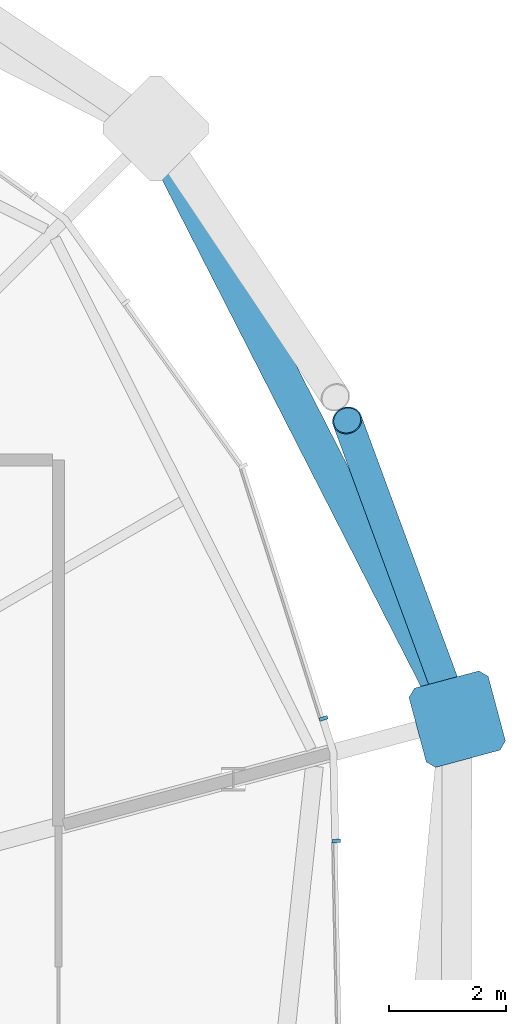
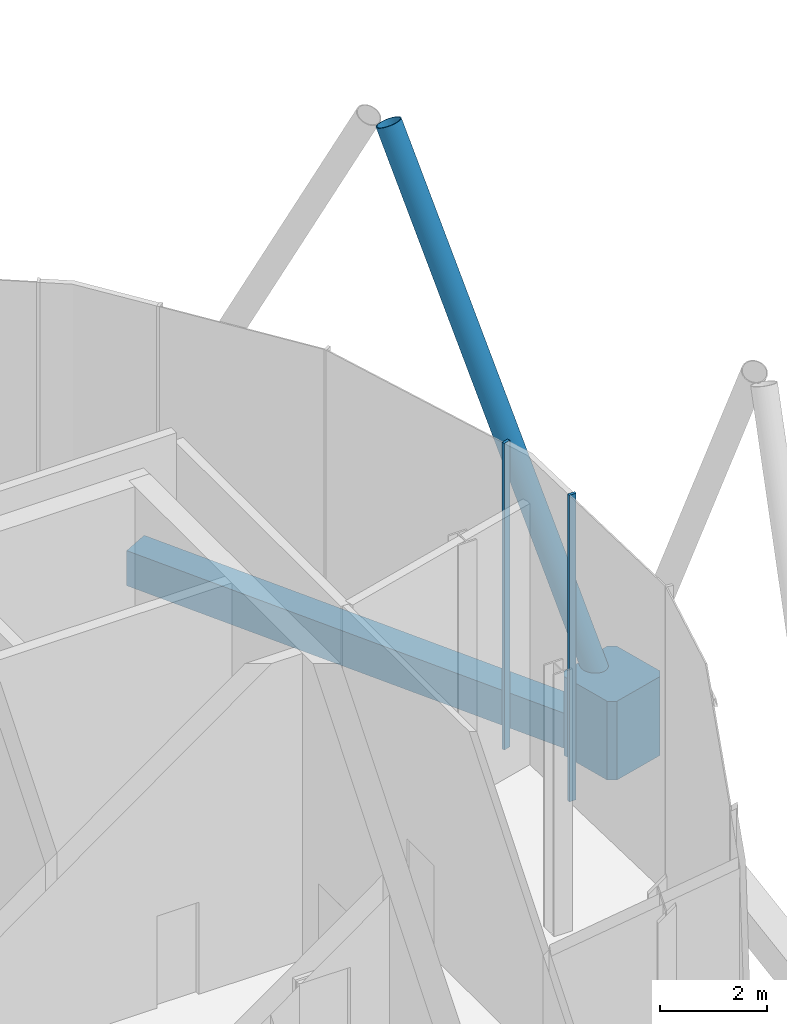
# One storey, part 13 of 28: 4 members, 1 beam, 1 element without a shape of its own.
"""IFC4 building model written with IfcOpenShell, lengths in metres."""

import ifcopenshell
import ifcopenshell.guid

model = None  # the IFC model being written
_history = None  # IfcOwnerHistory: only IFC2X3 demands one
_inside = {}  # id of a spatial element -> (the spatial element, [elements in it])
_under = {}  # id of a project, library or spatial element -> (it, [spatial elements below it])
_declared = {}  # id of a project -> (the project, [libraries it declares])
_typed = {}  # id of a type object -> (the type object, [elements of that type])
_made_of = {}  # id of a material, layer set ... -> (it, [elements and type objects made of it])


def new_model(schema):
    """Start an empty IFC model of exactly this schema.

    Asked for "IFC4X3", IfcOpenShell would pick the latest addendum, in which some entities
    have other attributes; the version numbers below select the first issue.
    IFC2X3 requires an IfcOwnerHistory on every rooted entity: one is made here for all.
    """
    global model, _history
    if schema == "IFC4X3":
        model = ifcopenshell.file(schema_version=(4, 3, 0, 0))
    else:
        model = ifcopenshell.file(schema=schema)
    _inside.clear()
    _under.clear()
    _declared.clear()
    _typed.clear()
    _made_of.clear()
    _history = None
    if model.schema == "IFC2X3":
        org = make("IfcOrganization", Name="unknown")
        user = make(
            "IfcPersonAndOrganization",
            ThePerson=make("IfcPerson", FamilyName="unknown"),
            TheOrganization=org,
        )
        app = make(
            "IfcApplication",
            ApplicationDeveloper=org,
            Version="unknown",
            ApplicationFullName="unknown",
            ApplicationIdentifier="unknown",
        )
        _history = make(
            "IfcOwnerHistory",
            OwningUser=user,
            OwningApplication=app,
            ChangeAction="ADDED",
            CreationDate=0,
        )
    return model


def make(cls, **values):
    """One entity of the class cls with the attributes given. An attribute that is None is left unset."""
    return model.create_entity(
        cls, **{name: value for name, value in values.items() if value is not None}
    )


def rooted(cls, **values):
    """An entity with a GlobalId (a new one), such as an element, a storey or a relation."""
    return make(cls, GlobalId=ifcopenshell.guid.new(), OwnerHistory=_history, **values)


def si_unit(unit_type, name, prefix=None):
    """IfcSIUnit, for example si_unit("LENGTHUNIT", "METRE", prefix="MILLI")."""
    return make("IfcSIUnit", UnitType=unit_type, Prefix=prefix, Name=name)


def assignment(units):
    """IfcUnitAssignment: the units of a project."""
    return None if units is None else make("IfcUnitAssignment", Units=units)


def point(xyz):
    """IfcCartesianPoint."""
    return None if xyz is None else make("IfcCartesianPoint", Coordinates=xyz)


def direction(xyz):
    """IfcDirection."""
    return None if xyz is None else make("IfcDirection", DirectionRatios=xyz)


def frame(location, z_axis=None, x_axis=None):
    """IfcAxis2Placement3D, a coordinate frame: its origin and axes. An axis left out is left unset."""
    return make(
        "IfcAxis2Placement3D",
        Location=point(location),
        Axis=direction(z_axis),
        RefDirection=direction(x_axis),
    )


def frame_2d(location, x_axis=None):
    """IfcAxis2Placement2D, a coordinate frame in the plane: its origin and x axis."""
    return make(
        "IfcAxis2Placement2D", Location=point(location), RefDirection=direction(x_axis)
    )


def origin():
    """The frame at (0, 0, 0) with its axes left unset."""
    return frame((0.0, 0.0, 0.0))


def origin_2d():
    """The frame at (0, 0) in the plane with its x axis left unset."""
    return frame_2d((0.0, 0.0))


def place(relative_to, where):
    """IfcLocalPlacement: puts the frame where relative to a parent placement (None: the world)."""
    return make(
        "IfcLocalPlacement", PlacementRelTo=relative_to, RelativePlacement=where
    )


def context(
    kind, dimensions, precision=None, world=None, true_north=None, identifier=None
):
    """IfcGeometricRepresentationContext, for example the 3D "Model" context."""
    return make(
        "IfcGeometricRepresentationContext",
        ContextIdentifier=identifier,
        ContextType=kind,
        CoordinateSpaceDimension=dimensions,
        Precision=precision,
        WorldCoordinateSystem=world,
        TrueNorth=true_north,
    )


def subcontext(parent, identifier, kind, view, scale=None):
    """IfcGeometricRepresentationSubContext, for example "Body" below "Model"."""
    return make(
        "IfcGeometricRepresentationSubContext",
        ContextIdentifier=identifier,
        ContextType=kind,
        ParentContext=parent,
        TargetScale=scale,
        TargetView=view,
    )


def project(units=None, contexts=None):
    """IfcProject with its units and contexts."""
    return rooted(
        "IfcProject",
        Name="project",
        RepresentationContexts=contexts,
        UnitsInContext=assignment(units),
    )


def spatial(cls, under=None, at=None, **own):
    """A site, building, storey or space (cls), placed at a placement, below another one or the project."""
    s = rooted(cls, ObjectPlacement=at, **own)
    if under is not None:
        _under.setdefault(under.id(), (under, []))[1].append(s)
    return s


def polyline(points):
    """IfcPolyline through the points."""
    return make("IfcPolyline", Points=[point(p) for p in points])


def profile(cls, at=None, kind="AREA", **sizes):
    """A parametric profile (cls). Its sizes go by their IFC names, for example OverallWidth=200.0."""
    return make(cls, ProfileType=kind, Position=at, **sizes)


def rectangle(**sizes):
    """IfcRectangleProfileDef."""
    return profile("IfcRectangleProfileDef", **sizes)


def hollow_rectangle(**sizes):
    """IfcRectangleHollowProfileDef."""
    return profile("IfcRectangleHollowProfileDef", **sizes)


def hollow_circle(**sizes):
    """IfcCircleHollowProfileDef."""
    return profile("IfcCircleHollowProfileDef", **sizes)


def outline(outer, holes=None, kind="AREA"):
    """IfcArbitraryClosedProfileDef: a profile drawn as a closed curve; with holes, ...WithVoids."""
    if holes is None:
        return make("IfcArbitraryClosedProfileDef", ProfileType=kind, OuterCurve=outer)
    return make(
        "IfcArbitraryProfileDefWithVoids",
        ProfileType=kind,
        OuterCurve=outer,
        InnerCurves=holes,
    )


def extrude(swept, where, along, depth):
    """IfcExtrudedAreaSolid: the profile swept, set in the frame where, extruded along a direction by depth."""
    return make(
        "IfcExtrudedAreaSolid",
        SweptArea=swept,
        Position=where,
        ExtrudedDirection=direction(along),
        Depth=depth,
    )


def shape(context_of_items, identifier, shape_type, items):
    """IfcShapeRepresentation: the items that make up one representation, for example the "Body"."""
    return make(
        "IfcShapeRepresentation",
        ContextOfItems=context_of_items,
        RepresentationIdentifier=identifier,
        RepresentationType=shape_type,
        Items=items,
    )


def material(Name=None, Category=None):
    """IfcMaterial."""
    return make("IfcMaterial", Name=Name, Category=Category)


def material_profile(
    of_material, cross_section, Name=None, Category=None, Priority=None
):
    """IfcMaterialProfile: a cross section and its material."""
    return make(
        "IfcMaterialProfile",
        Name=Name,
        Material=of_material,
        Profile=cross_section,
        Priority=Priority,
        Category=Category,
    )


def profile_set(profiles, Name=None, composite=None):
    """IfcMaterialProfileSet."""
    return make(
        "IfcMaterialProfileSet",
        Name=Name,
        MaterialProfiles=profiles,
        CompositeProfile=composite,
    )


def made_of(thing, what):
    """Note that an element or type object is made of a material, layer set ...; save() writes the relation."""
    if what is not None:
        _made_of.setdefault(what.id(), (what, []))[1].append(thing)
    return thing


def type_object(cls, material=None, **own):
    """A type object (cls), such as IfcWallType, which elements share."""
    return made_of(rooted(cls, **own), material)


def element(
    cls,
    number,
    at=None,
    inside=None,
    cuts=None,
    type_object=None,
    material=None,
    context=None,
    identifier="Body",
    shape_type=None,
    held_by="IfcProductDefinitionShape",
    body=None,
    shapes=None,
    **own,
):
    """One element of the class cls, such as IfcWall. Its Tag is "e" and its number.

    at: its placement. inside: the storey or other place that contains it. cuts: it is an
    opening in that element (IfcRelVoidsElement). A single representation is given by context,
    identifier, shape_type and body (its items); several are given by shapes. held_by: the class
    of the entity that holds the representations. save() writes the other relations.
    """
    e = rooted(cls, Tag="e%d" % number, ObjectPlacement=at, **own)
    if body is not None:
        shapes = [shape(context, identifier, shape_type, body)]
    if shapes is not None:
        e.Representation = make(held_by, Representations=shapes)
    if inside is not None:
        _inside.setdefault(inside.id(), (inside, []))[1].append(e)
    if cuts is not None:
        rooted(
            "IfcRelVoidsElement", RelatingBuildingElement=cuts, RelatedOpeningElement=e
        )
    if type_object is not None:
        _typed.setdefault(type_object.id(), (type_object, []))[1].append(e)
    return made_of(e, material)


def aggregate(whole, parts):
    """IfcRelAggregates: a whole, such as a stair, and the parts it consists of."""
    return rooted("IfcRelAggregates", RelatingObject=whole, RelatedObjects=parts)


def save(model, path):
    """Write the relations noted so far, then the file.

    IfcRelAggregates (storeys below a building ...), IfcRelContainedInSpatialStructure (elements
    in a storey), IfcRelDefinesByType, IfcRelAssociatesMaterial and IfcRelDeclares: one each for
    every whole, place, type object, material and project.
    """
    for whole, parts in _under.values():
        aggregate(whole, parts)
    for where, things in _inside.values():
        rooted(
            "IfcRelContainedInSpatialStructure",
            RelatedElements=things,
            RelatingStructure=where,
        )
    for kind, things in _typed.values():
        rooted("IfcRelDefinesByType", RelatedObjects=things, RelatingType=kind)
    for what, things in _made_of.values():
        rooted("IfcRelAssociatesMaterial", RelatedObjects=things, RelatingMaterial=what)
    for by, libraries in _declared.values():
        rooted("IfcRelDeclares", RelatingContext=by, RelatedDefinitions=libraries)
    model.write(path)


model = new_model("IFC4")

# Units and contexts
model_context = context("Model", 3, precision=1e-05, world=origin(), true_north=direction((0.0, 1.0)))
body_context = subcontext(model_context, "Body", "Model", "MODEL_VIEW")
ifc_project = project(units=[si_unit("LENGTHUNIT", "METRE"), si_unit("AREAUNIT", "SQUARE_METRE"), si_unit("VOLUMEUNIT", "CUBIC_METRE"), si_unit("PLANEANGLEUNIT", "RADIAN"), si_unit("MASSUNIT", "GRAM", prefix="KILO")], contexts=[model_context])

# Site, building, storey
site_placement = place(None, origin())
site = spatial("IfcSite", under=ifc_project, at=site_placement, CompositionType="ELEMENT")
building_placement = place(site_placement, origin())
building = spatial("IfcBuilding", under=site, at=building_placement, Name="Rimbun Link Towers", CompositionType="ELEMENT")
storey_placement = place(building_placement, frame((0.0, 0.0, 256.10009765625)))
storey = spatial("IfcBuildingStorey", under=building, at=storey_placement, Name="L63", CompositionType="ELEMENT", Elevation=256.10009765625)

# Curtain wall, members
ifc_material_1 = material(Name="Aluminium 6063-T6 and low-iron glass", Category="aluminium")
curtain_wall_type = type_object("IfcCurtainWallType", Name="CW5 full height lobby wall", PredefinedType="NOTDEFINED", material=ifc_material_1)
curtain_wall_placement = place(storey_placement, origin())
curtain_wall = element("IfcCurtainWall", 1, at=curtain_wall_placement, inside=storey, type_object=curtain_wall_type, Name="CW5 L63 T2", PredefinedType="NOTDEFINED")
ifc_material_2 = material(Name="Aluminium 6063-T6", Category="aluminium")
ifc_material_profile_1 = material_profile(ifc_material_2, rectangle(XDim=0.14990234375, YDim=0.06005859375, at=origin_2d()), Name="MULLION 60X150")
ifc_profile_set_1 = profile_set([ifc_material_profile_1], Name="Aluminium 6063-T6")
member_type_1 = type_object("IfcMemberType", Name="CW5 mullion 60X150", PredefinedType="MULLION", material=ifc_profile_set_1)
member_1_placement = place(storey_placement, frame((50.4912109375, 3.4951171875, 0.0), z_axis=(0.0, 0.0, 1.0), x_axis=(0.9997781209, 0.021064400542, 0.0)))
member_1 = element("IfcMember", 2, at=member_1_placement, type_object=member_type_1, Name="CW5 mullion", PredefinedType="MULLION", context=body_context, shape_type="SweptSolid", body=[
    extrude(rectangle(XDim=0.14990234375, YDim=0.06005859375, at=origin_2d()), origin(), (0.0, 0.0, 1.0), 7.0),
])
member_2_placement = place(storey_placement, frame((50.2744140625, 5.587646484375, 0.0), z_axis=(0.0, 0.0, 1.0), x_axis=(0.952966879851, 0.303074456046, 0.0)))
member_2 = element("IfcMember", 3, at=member_2_placement, type_object=member_type_1, Name="CW5 mullion", PredefinedType="MULLION", context=body_context, shape_type="SweptSolid", body=[
    extrude(rectangle(XDim=0.14990234375, YDim=0.06005859375, at=origin_2d()), origin(), (0.0, 0.0, 1.0), 7.0),
])
aggregate(curtain_wall, [member_1, member_2])

# Members
ifc_material_3 = material(Name="Steel S355J2H", Category="steel")
ifc_material_profile_2 = material_profile(ifc_material_3, hollow_circle(Radius=0.25390625, WallThickness=0.02001953125, at=origin_2d()), Name="Diagrid diagonal CHS 508x20")
ifc_profile_set_2 = profile_set([ifc_material_profile_2], Name="Steel S355J2H")
member_type_2 = type_object("IfcMemberType", Name="Diagrid diagonal CHS 508x20", PredefinedType="BRACE", material=ifc_profile_set_2)
member_3_placement = place(storey_placement, frame((52.481689453125, 5.78271484375, 0.448486328125), z_axis=(-0.152583342554, 0.414216770688, 0.897297492728), x_axis=(-0.938359897254, -0.34565980852, 0.0)))
element("IfcMember", 4, at=member_3_placement, inside=storey, type_object=member_type_2, Name="Diagrid diagonal T2 L63-L65 22b", PredefinedType="BRACE", context=body_context, shape_type="SweptSolid", body=[
    extrude(hollow_circle(Radius=0.25390625, WallThickness=0.02001953125, at=origin_2d()), origin(), (0.0, 0.0, 1.0), 11.81640625),
])
ifc_material_4 = material(Name="Cast steel G20Mn5+QT, Rp0.2 300 MPa", Category="steel")
ifc_material_profile_3 = material_profile(ifc_material_4, outline(polyline([(0.699951171875, -0.570068359375), (0.699951171875, 0.570068359375), (0.570068359375, 0.699951171875), (-0.570068359375, 0.699951171875), (-0.699951171875, 0.570068359375), (-0.699951171875, -0.570068359375), (-0.570068359375, -0.699951171875), (0.570068359375, -0.699951171875), (0.699951171875, -0.570068359375)])), Name="NODE 1400x1400")
ifc_profile_set_3 = profile_set([ifc_material_profile_3], Name="Cast steel G20Mn5+QT, Rp0.2 300 MPa")
member_type_3 = type_object("IfcMemberType", Name="Diagrid node cast 1400", PredefinedType="USERDEFINED", material=ifc_profile_set_3)
member_4_placement = place(storey_placement, frame((52.55810546875, 5.575439453125, -0.900146484375), z_axis=(0.0, 0.0, 1.0), x_axis=(0.965925826289, 0.258819045103, 0.0)))
element("IfcMember", 5, at=member_4_placement, inside=storey, type_object=member_type_3, Name="Diagrid node L63 22", ObjectType="Diagrid node", PredefinedType="USERDEFINED", context=body_context, shape_type="SweptSolid", body=[
    extrude(outline(polyline([(0.699951171875, -0.570068359375), (0.699951171875, 0.570068359375), (0.570068359375, 0.699951171875), (-0.570068359375, 0.699951171875), (-0.699951171875, 0.570068359375), (-0.699951171875, -0.570068359375), (-0.570068359375, -0.699951171875), (0.570068359375, -0.699951171875), (0.699951171875, -0.570068359375)])), origin(), (0.0, 0.0, 1.0), 1.800048828125),
])

# Beam
ifc_material_5 = material(Name="Steel S355J2", Category="steel")
ifc_material_profile_4 = material_profile(ifc_material_5, hollow_rectangle(XDim=0.60009765625, YDim=0.800048828125, WallThickness=0.0400390625, at=origin_2d()), Name="Exoskeleton ring girder BOX 600x800x40")
ifc_profile_set_4 = profile_set([ifc_material_profile_4], Name="Steel S355J2")
beam_type = type_object("IfcBeamType", Name="Exoskeleton ring girder BOX 600x800x40", PredefinedType="BEAM", material=ifc_profile_set_4)
beam_placement = place(storey_placement, frame((52.23974609375, 6.198974609375, -0.56005859375), z_axis=(-0.454726911939, 0.890630919943, 0.0), x_axis=(-0.890630919943, -0.454726911939, 0.0)))
element("IfcBeam", 6, at=beam_placement, inside=storey, type_object=beam_type, Name="Exoskeleton ring girder L63 11", PredefinedType="BEAM", context=body_context, shape_type="SweptSolid", body=[
    extrude(hollow_rectangle(XDim=0.60009765625, YDim=0.800048828125, WallThickness=0.0400390625, at=origin_2d()), origin(), (0.0, 0.0, 1.0), 9.92236328125),
])

save(model, "model.ifc")
